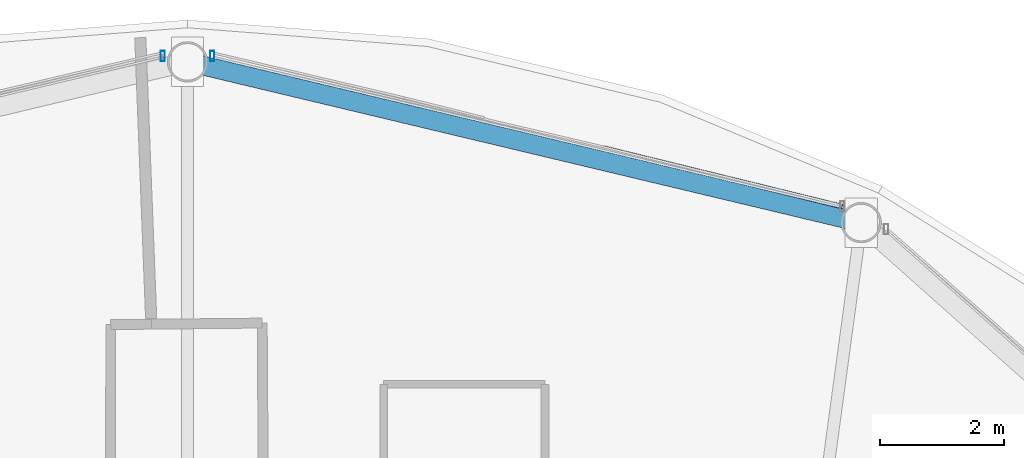
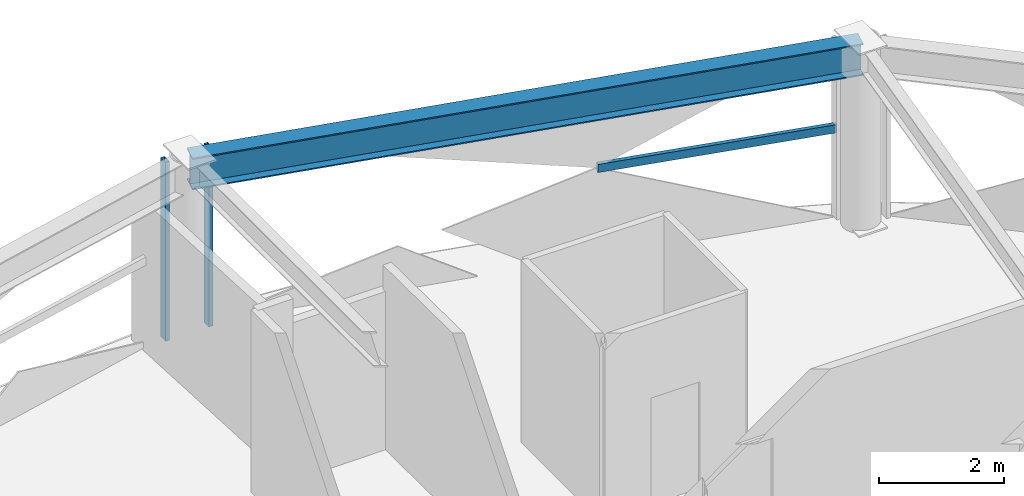
# One storey, part 18 of 28: 3 members, 1 beam, 2 elements without a shape of their own.
"""IFC4 building model written with IfcOpenShell, lengths in metres."""

from ifc_helpers import new_model, si_unit, direction, frame, origin, origin_2d, place, context, subcontext, project, spatial, hollow_rectangle, i_section, extrude, material, layer, layer_set, material_profile, profile_set, type_object, element, aggregate, save


model = new_model("IFC4")

# Units and contexts
model_context = context("Model", 3, precision=1e-05, world=origin(), true_north=direction((0.0, 1.0)))
body_context = subcontext(model_context, "Body", "Model", "MODEL_VIEW")
ifc_project = project(units=[si_unit("LENGTHUNIT", "METRE"), si_unit("AREAUNIT", "SQUARE_METRE"), si_unit("VOLUMEUNIT", "CUBIC_METRE"), si_unit("PLANEANGLEUNIT", "RADIAN"), si_unit("MASSUNIT", "GRAM", prefix="KILO")], contexts=[model_context])

# Site, building, storey
site_placement = place(None, origin())
site = spatial("IfcSite", under=ifc_project, at=site_placement, CompositionType="ELEMENT")
building_placement = place(site_placement, origin())
building = spatial("IfcBuilding", under=site, at=building_placement, Name="Vantalir Tower", CompositionType="ELEMENT")
storey_placement = place(building_placement, frame((0.0, 0.0, 246.14990234375)))
storey = spatial("IfcBuildingStorey", under=building, at=storey_placement, Name="L62", CompositionType="ELEMENT", Elevation=246.14990234375)

# Beam
ifc_material_1 = material(Name="Steel S460", Category="steel")
ifc_material_profile_1 = material_profile(ifc_material_1, i_section(OverallWidth=0.306884765625, OverallDepth=0.6201171875, WebThickness=0.01416015625, FlangeThickness=0.023681640625, at=origin_2d()), Name="Steel S460")
ifc_profile_set_1 = profile_set([ifc_material_profile_1], Name="Steel S460")
beam_type = type_object("IfcBeamType", Name="BM-RG-610x305", PredefinedType="USERDEFINED", material=ifc_profile_set_1)
beam_placement = place(storey_placement, frame((42.35888671875, 41.742919921875, 3.260009765625), z_axis=(-0.97271250926, 0.23201373737, 0.0), x_axis=(-0.23201373737, -0.97271250926, 0.0)))
element("IfcBeam", 1, at=beam_placement, inside=storey, type_object=beam_type, Name="L62 Circumferential Ring Girder 03", ObjectType="GIRDER", PredefinedType="USERDEFINED", context=body_context, shape_type="SweptSolid", body=[
    extrude(i_section(OverallWidth=0.306884765625, OverallDepth=0.6201171875, WebThickness=0.01416015625, FlangeThickness=0.023681640625, at=origin_2d()), origin(), (0.0, 0.0, 1.0), 11.16357421875),
])

# Curtain wall, member
ifc_material_2 = material(Name="Champagne-silver PVDF aluminium and double-silver Low-E glass", Category="aluminium")
ifc_layer = layer(ifc_material_2, 0.2099609375)
ifc_layer_set = layer_set([ifc_layer], Name="Champagne-silver PVDF aluminium and double-silver Low-E glass")
curtain_wall_type = type_object("IfcCurtainWallType", Name="CW-DIAMOND-Z3", PredefinedType="USERDEFINED", material=ifc_layer_set)
curtain_wall_1_placement = place(storey_placement, origin())
curtain_wall_1 = element("IfcCurtainWall", 2, at=curtain_wall_1_placement, inside=storey, type_object=curtain_wall_type, Name="L62 Quilted Pyramid-Diamond Curtain Wall S03", ObjectType="UNITISED CURTAIN WALL", PredefinedType="USERDEFINED")
ifc_material_3 = material(Name="Champagne-silver PVDF aluminium 6063-T6", Category="aluminium")
ifc_material_profile_2 = material_profile(ifc_material_3, hollow_rectangle(XDim=0.070068359375, YDim=0.1650390625, WallThickness=0.00390625, at=origin_2d()), Name="Champagne-silver PVDF aluminium 6063-T6")
ifc_profile_set_2 = profile_set([ifc_material_profile_2], Name="Champagne-silver PVDF aluminium 6063-T6")
member_type_1 = type_object("IfcMemberType", Name="CWM-165x70", PredefinedType="MULLION", material=ifc_profile_set_2)
member_1_placement = place(storey_placement, frame((31.89892578125, 44.427978515625, 0.045166015625), z_axis=(0.0, 0.0, 1.0), x_axis=(1.0, 0.0, 0.0)))
member_1 = element("IfcMember", 3, at=member_1_placement, type_object=member_type_1, Name="CW-L62-S03 Mullion 2", PredefinedType="MULLION", context=body_context, shape_type="SweptSolid", body=[
    extrude(hollow_rectangle(XDim=0.070068359375, YDim=0.1650390625, WallThickness=0.00390625, at=origin_2d()), origin(), (0.0, 0.0, 1.0), 3.47998046875),
])

curtain_wall_2_placement = place(storey_placement, origin())
curtain_wall_2 = element("IfcCurtainWall", 4, at=curtain_wall_2_placement, inside=storey, type_object=curtain_wall_type, Name="L62 Quilted Pyramid-Diamond Curtain Wall S04", ObjectType="UNITISED CURTAIN WALL", PredefinedType="USERDEFINED")
member_2_placement = place(storey_placement, frame((31.10107421875, 44.427978515625, 0.045166015625), z_axis=(0.0, 0.0, 1.0), x_axis=(1.0, 0.0, 0.0)))
member_2 = element("IfcMember", 5, at=member_2_placement, type_object=member_type_1, Name="CW-L62-S04 Mullion 1", PredefinedType="MULLION", context=body_context, shape_type="SweptSolid", body=[
    extrude(hollow_rectangle(XDim=0.070068359375, YDim=0.1650390625, WallThickness=0.00390625, at=origin_2d()), origin(), (0.0, 0.0, 1.0), 3.47998046875),
])
aggregate(curtain_wall_2, [member_2])

# Member
ifc_material_profile_3 = material_profile(ifc_material_3, hollow_rectangle(XDim=0.074951171875, YDim=0.159912109375, WallThickness=0.00390625, at=origin_2d()), Name="Champagne-silver PVDF aluminium 6063-T6")
ifc_profile_set_3 = profile_set([ifc_material_profile_3], Name="Champagne-silver PVDF aluminium 6063-T6")
member_type_2 = type_object("IfcMemberType", Name="CWT-160x75", PredefinedType="USERDEFINED", material=ifc_profile_set_3)
member_3_placement = place(storey_placement, frame((42.054931640625, 42.001953125, 1.78515625), z_axis=(-0.971237180584, 0.238114130306, 0.0), x_axis=(-0.238114130306, -0.971237180584, 0.0)))
member_3 = element("IfcMember", 6, at=member_3_placement, type_object=member_type_2, Name="CW-L62-S03 Pyramid Fold Ridge Transom", ObjectType="TRANSOM", PredefinedType="USERDEFINED", context=body_context, shape_type="SweptSolid", body=[
    extrude(hollow_rectangle(XDim=0.074951171875, YDim=0.159912109375, WallThickness=0.00390625, at=origin_2d()), origin(), (0.0, 0.0, 1.0), 3.96484375),
])

aggregate(curtain_wall_1, [member_1, member_3])

save(model, "model.ifc")
